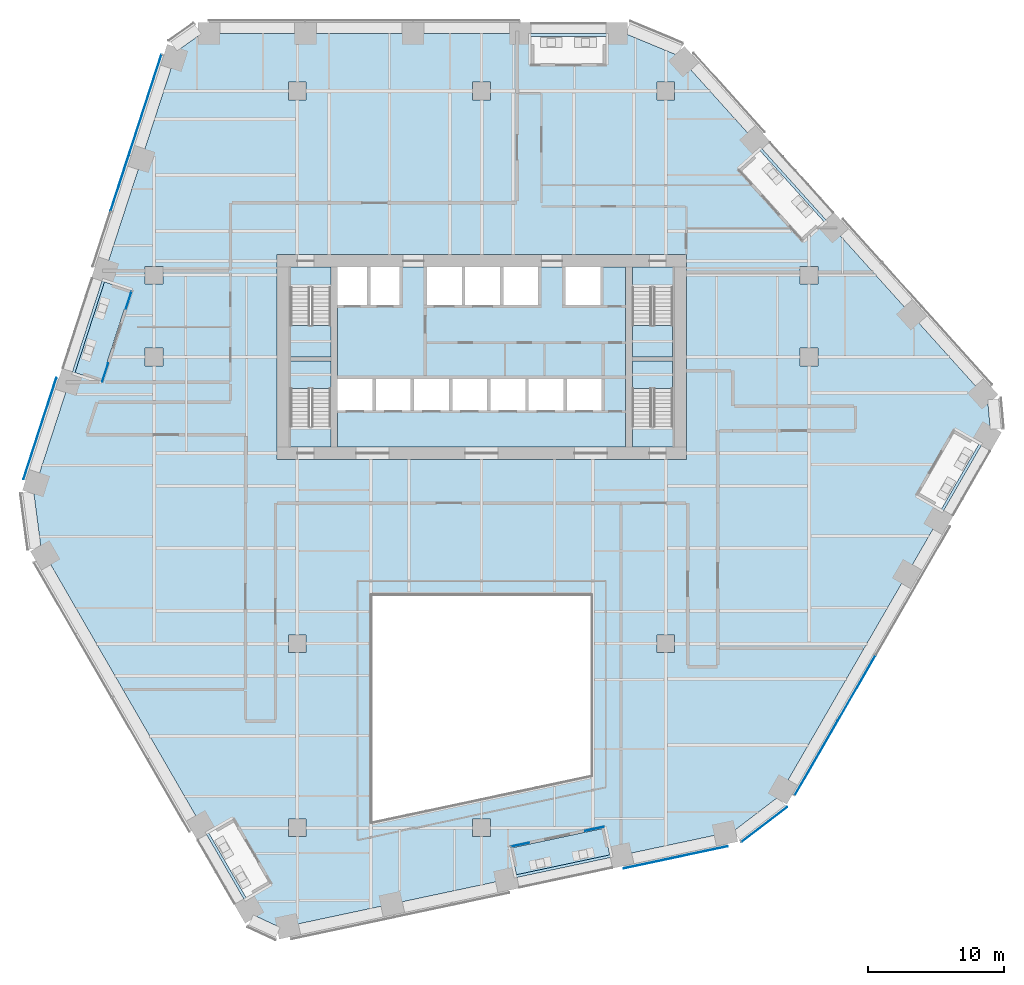
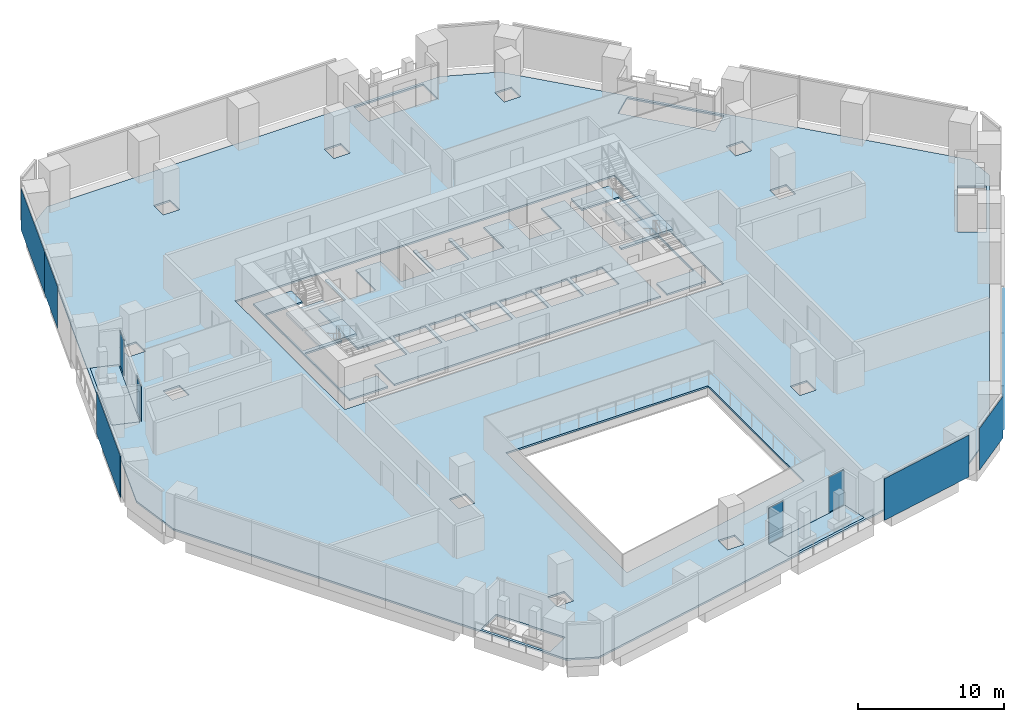
# One storey, part 17 of 28: 11 plates, 10 slabs, 10 elements without a shape of their own.
"""IFC4 building model written with IfcOpenShell, lengths in metres."""

from ifc_helpers import new_model, si_unit, direction, frame, origin, origin_2d, place, context, subcontext, project, spatial, polyline, rectangle, outline, extrude, material, layer, layer_set, type_object, element, aggregate, save


model = new_model("IFC4")

# Units and contexts
model_context = context("Model", 3, precision=1e-05, world=origin(), true_north=direction((0.0, 1.0)))
body_context = subcontext(model_context, "Body", "Model", "MODEL_VIEW")
ifc_project = project(units=[si_unit("LENGTHUNIT", "METRE"), si_unit("AREAUNIT", "SQUARE_METRE"), si_unit("VOLUMEUNIT", "CUBIC_METRE"), si_unit("PLANEANGLEUNIT", "RADIAN"), si_unit("MASSUNIT", "GRAM", prefix="KILO")], contexts=[model_context])

# Site, building, storey
site_placement = place(None, origin())
site = spatial("IfcSite", under=ifc_project, at=site_placement, CompositionType="ELEMENT")
building_placement = place(site_placement, origin())
building = spatial("IfcBuilding", under=site, at=building_placement, Name="Isthmus Gate Tower", CompositionType="ELEMENT")
storey_placement = place(building_placement, frame((0.0, 0.0, 84.300048828125)))
storey = spatial("IfcBuildingStorey", under=building, at=storey_placement, Name="L19", CompositionType="ELEMENT", Elevation=84.300048828125)

# Slabs
ifc_material_1 = material(Name="Concrete f'c 40 MPa", Category="concrete")
ifc_layer_1 = layer(ifc_material_1, 0.14990234375)
ifc_layer_set_1 = layer_set([ifc_layer_1], Name="COMPOSITE FLOOR SLAB 150")
slab_type_1 = type_object("IfcSlabType", Name="COMPOSITE FLOOR SLAB 150", PredefinedType="FLOOR", material=ifc_layer_set_1)
slab_1_placement = place(storey_placement, frame((0.0, 0.0, -0.150146484375)))
element("IfcSlab", 1, at=slab_1_placement, inside=storey, type_object=slab_type_1, Name="str-slab-L19-1", PredefinedType="FLOOR", context=body_context, shape_type="SweptSolid", body=[
    extrude(outline(polyline([(14.391357421875, 29.599365234375), (37.081787109375, 4.399169921875), (37.281494140625, 2.17333984375), (21.748779296875, -24.729736328125), (18.438232421875, -27.262939453125), (-14.73095703125, -34.313232421875), (-16.758544921875, -33.373291015625), (-32.291015625, -6.47021484375), (-32.82958984375, -2.33642578125), (-22.3505859375, 29.9140625), (-20.52294921875, 31.199951171875), (10.542236328125, 31.199951171875), (14.391357421875, 29.599365234375)]), holes=[polyline([(-17.2587890625, -32.107177734375), (-15.526611328125, -31.107177734375), (-18.248291015625, -26.392822265625), (-19.98046875, -27.392822265625), (-17.2587890625, -32.107177734375)]), polyline([(-14.14990234375, -26.35009765625), (-14.14990234375, -27.64990234375), (-12.85009765625, -27.64990234375), (-12.85009765625, -26.35009765625), (-14.14990234375, -26.35009765625)]), polyline([(-0.64990234375, -26.35009765625), (-0.64990234375, -27.64990234375), (0.64990234375, -27.64990234375), (0.64990234375, -26.35009765625), (-0.64990234375, -26.35009765625)]), polyline([(8.0, -23.143310546875), (8.0, -10.0), (-8.0, -10.0), (-8.0, -26.544189453125), (8.0, -23.143310546875)]), polyline([(-14.14990234375, -12.85009765625), (-14.14990234375, -14.14990234375), (-12.85009765625, -14.14990234375), (-12.85009765625, -12.85009765625), (-14.14990234375, -12.85009765625)]), polyline([(-23.35009765625, 8.14990234375), (-24.64990234375, 8.14990234375), (-24.64990234375, 6.85009765625), (-23.35009765625, 6.85009765625), (-23.35009765625, 8.14990234375)]), polyline([(15.0, 15.0), (-15.0, 15.0), (-15.0, 0.0), (15.0, 0.0), (15.0, 15.0)]), polyline([(-27.6337890625, 13.007080078125), (-29.793701171875, 6.35986328125), (-27.8916015625, 5.741943359375), (-25.731689453125, 12.38916015625), (-27.6337890625, 13.007080078125)]), polyline([(-23.35009765625, 12.85009765625), (-23.35009765625, 14.14990234375), (-24.64990234375, 14.14990234375), (-24.64990234375, 12.85009765625), (-23.35009765625, 12.85009765625)]), polyline([(-14.14990234375, 27.64990234375), (-14.14990234375, 26.35009765625), (-12.85009765625, 26.35009765625), (-12.85009765625, 27.64990234375), (-14.14990234375, 27.64990234375)]), polyline([(9.388916015625, -28.98193359375), (8.97314453125, -27.025634765625), (2.136474609375, -28.478759765625), (2.55224609375, -30.43505859375), (9.388916015625, -28.98193359375)]), polyline([(14.14990234375, -12.85009765625), (12.85009765625, -12.85009765625), (12.85009765625, -14.14990234375), (14.14990234375, -14.14990234375), (14.14990234375, -12.85009765625)]), polyline([(33.7001953125, -3.629638671875), (36.434814453125, 1.107177734375), (34.702880859375, 2.107177734375), (31.968017578125, -2.629638671875), (33.7001953125, -3.629638671875)]), polyline([(24.64990234375, 6.85009765625), (24.64990234375, 8.14990234375), (23.35009765625, 8.14990234375), (23.35009765625, 6.85009765625), (24.64990234375, 6.85009765625)]), polyline([(23.35009765625, 14.14990234375), (23.35009765625, 12.85009765625), (24.64990234375, 12.85009765625), (24.64990234375, 14.14990234375), (23.35009765625, 14.14990234375)]), polyline([(20.40478515625, 22.6220703125), (18.91845703125, 21.28369140625), (23.59521484375, 16.089599609375), (25.081298828125, 17.427978515625), (20.40478515625, 22.6220703125)]), polyline([(0.64990234375, 27.64990234375), (-0.64990234375, 27.64990234375), (-0.64990234375, 26.35009765625), (0.64990234375, 26.35009765625), (0.64990234375, 27.64990234375)]), polyline([(14.14990234375, 26.35009765625), (14.14990234375, 27.64990234375), (12.85009765625, 27.64990234375), (12.85009765625, 26.35009765625), (14.14990234375, 26.35009765625)]), polyline([(9.101806640625, 31.0), (3.63232421875, 31.0), (3.63232421875, 29.0), (9.101806640625, 29.0), (9.101806640625, 31.0)])]), origin(), (0.0, 0.0, 1.0), 0.150146484375),
])
ifc_material_2 = material(Name="Concrete f'c 40 MPa", Category="concrete")
ifc_layer_2 = layer(ifc_material_2, 0.14990234375)
ifc_layer_set_2 = layer_set([ifc_layer_2], Name="CORE FLOOR SLAB 150")
slab_type_2 = type_object("IfcSlabType", Name="CORE FLOOR SLAB 150", PredefinedType="FLOOR", material=ifc_layer_set_2)
slab_2_placement = place(storey_placement, frame((0.0, 0.0, -0.150146484375)))
element("IfcSlab", 2, at=slab_2_placement, inside=storey, type_object=slab_type_2, Name="L19 core floor", PredefinedType="FLOOR", context=body_context, shape_type="SweptSolid", body=[
    extrude(outline(polyline([(-11.050048828125, 0.89990234375), (-11.050048828125, 2.402099609375), (-14.0, 2.402099609375), (-14.0, 7.199951171875), (-11.050048828125, 7.199951171875), (-11.050048828125, 7.5), (-14.0, 7.5), (-14.0, 12.597900390625), (-11.050048828125, 12.597900390625), (-11.050048828125, 14.10009765625), (-14.10009765625, 14.10009765625), (-14.10009765625, 0.89990234375), (-11.050048828125, 0.89990234375)])), origin(), (0.0, 0.0, 1.0), 0.150146484375),
])
slab_3_placement = place(storey_placement, frame((0.0, 0.0, -0.150146484375)))
element("IfcSlab", 3, at=slab_3_placement, inside=storey, type_object=slab_type_2, Name="L19 core floor", PredefinedType="FLOOR", context=body_context, shape_type="SweptSolid", body=[
    extrude(outline(polyline([(10.550048828125, 14.10009765625), (8.699951171875, 14.10009765625), (8.699951171875, 11.300048828125), (6.14990234375, 11.300048828125), (6.14990234375, 14.10009765625), (4.14990234375, 14.10009765625), (4.14990234375, 11.300048828125), (1.60009765625, 11.300048828125), (1.60009765625, 14.10009765625), (1.35009765625, 14.10009765625), (1.35009765625, 11.300048828125), (-1.199951171875, 11.300048828125), (-1.199951171875, 14.10009765625), (-1.449951171875, 14.10009765625), (-1.449951171875, 11.300048828125), (-4.0, 11.300048828125), (-4.0, 14.10009765625), (-6.0, 14.10009765625), (-6.0, 11.300048828125), (-8.14990234375, 11.300048828125), (-8.14990234375, 14.10009765625), (-8.39990234375, 14.10009765625), (-8.39990234375, 11.300048828125), (-10.550048828125, 11.300048828125), (-10.550048828125, 5.89990234375), (-8.0, 5.89990234375), (-8.0, 3.60009765625), (-10.550048828125, 3.60009765625), (-10.550048828125, 0.89990234375), (10.550048828125, 0.89990234375), (10.550048828125, 14.10009765625)]), holes=[polyline([(-5.199951171875, 5.89990234375), (-5.199951171875, 3.60009765625), (-7.75, 3.60009765625), (-7.75, 5.89990234375), (-5.199951171875, 5.89990234375)]), polyline([(-2.39990234375, 5.89990234375), (-2.39990234375, 3.60009765625), (-4.949951171875, 3.60009765625), (-4.949951171875, 5.89990234375), (-2.39990234375, 5.89990234375)]), polyline([(0.39990234375, 5.89990234375), (0.39990234375, 3.60009765625), (-2.14990234375, 3.60009765625), (-2.14990234375, 5.89990234375), (0.39990234375, 5.89990234375)]), polyline([(3.199951171875, 5.89990234375), (3.199951171875, 3.60009765625), (0.64990234375, 3.60009765625), (0.64990234375, 5.89990234375), (3.199951171875, 5.89990234375)]), polyline([(6.0, 5.89990234375), (6.0, 3.60009765625), (3.449951171875, 3.60009765625), (3.449951171875, 5.89990234375), (6.0, 5.89990234375)]), polyline([(8.800048828125, 5.89990234375), (8.800048828125, 3.60009765625), (6.25, 3.60009765625), (6.25, 5.89990234375), (8.800048828125, 5.89990234375)])]), origin(), (0.0, 0.0, 1.0), 0.150146484375),
])
slab_4_placement = place(storey_placement, frame((0.0, 0.0, -0.150146484375)))
element("IfcSlab", 4, at=slab_4_placement, inside=storey, type_object=slab_type_2, Name="L19 core floor", PredefinedType="FLOOR", context=body_context, shape_type="SweptSolid", body=[
    extrude(outline(polyline([(11.050048828125, 14.10009765625), (11.050048828125, 12.597900390625), (14.0, 12.597900390625), (14.0, 7.5), (11.050048828125, 7.5), (11.050048828125, 7.199951171875), (14.0, 7.199951171875), (14.0, 2.402099609375), (11.050048828125, 2.402099609375), (11.050048828125, 0.89990234375), (14.10009765625, 0.89990234375), (14.10009765625, 14.10009765625), (11.050048828125, 14.10009765625)])), origin(), (0.0, 0.0, 1.0), 0.150146484375),
])

# Curtain wall, plates
ifc_material_3 = material(Name="Aluminium, pale champagne anodised", Category="aluminium")
ifc_layer_3 = layer(ifc_material_3, 0.199951171875)
ifc_layer_set_3 = layer_set([ifc_layer_3], Name="CW-1 UNITISED CURTAIN WALL 200 DEEP")
curtain_wall_type_1 = type_object("IfcCurtainWallType", Name="CW-1 UNITISED CURTAIN WALL 200 DEEP", PredefinedType="NOTDEFINED", material=ifc_layer_set_3)
curtain_wall_1_placement = place(storey_placement, origin())
curtain_wall_1 = element("IfcCurtainWall", 5, at=curtain_wall_1_placement, inside=storey, type_object=curtain_wall_type_1, Name="CW-1 NW L19", PredefinedType="NOTDEFINED")
ifc_material_4 = material(Name="Laminated low-iron glass, pale blue tint", Category="glass")
ifc_layer_4 = layer(ifc_material_4, 0.0400390625)
ifc_layer_set_4 = layer_set([ifc_layer_4], Name="CW-1 CLEAR GLASS LITE 40")
plate_type_1 = type_object("IfcPlateType", Name="CW-1 CLEAR GLASS LITE 40", PredefinedType="CURTAIN_PANEL", material=ifc_layer_set_4)
plate_1_placement = place(storey_placement, frame((-24.660400390625, 25.97705078125, 0.0), z_axis=(0.0, 0.0, 1.0), x_axis=(-0.309016994375, -0.951056516295, 0.0)))
plate_1 = element("IfcPlate", 6, at=plate_1_placement, type_object=plate_type_1, Name="CW-1 glass lite", PredefinedType="CURTAIN_PANEL", context=body_context, shape_type="SweptSolid", body=[
    extrude(rectangle(XDim=7.729248046875, YDim=0.0400390625, at=origin_2d()), origin(), (0.0, 0.0, 1.0), 3.5),
])
plate_2_placement = place(storey_placement, frame((-26.51806640625, 20.25927734375, 0.0), z_axis=(0.0, 0.0, 1.0), x_axis=(-0.309016994375, -0.951056516295, 0.0)))
plate_2 = element("IfcPlate", 7, at=plate_2_placement, type_object=plate_type_1, Name="CW-1 glass lite", PredefinedType="CURTAIN_PANEL", context=body_context, shape_type="SweptSolid", body=[
    extrude(rectangle(XDim=4.294677734375, YDim=0.0400390625, at=origin_2d()), origin(), (0.0, 0.0, 1.0), 3.5),
])
plate_3_placement = place(storey_placement, frame((-32.36669921875, 2.259765625, 0.0), z_axis=(0.0, 0.0, 1.0), x_axis=(-0.309016994375, -0.951056516295, 0.0)))
plate_3 = element("IfcPlate", 8, at=plate_3_placement, type_object=plate_type_1, Name="CW-1 glass lite", PredefinedType="CURTAIN_PANEL", context=body_context, shape_type="SweptSolid", body=[
    extrude(rectangle(XDim=7.789306640625, YDim=0.0400390625, at=origin_2d()), origin(), (0.0, 0.0, 1.0), 3.5),
])
aggregate(curtain_wall_1, [plate_1, plate_2, plate_3])

# Curtain wall, plate
curtain_wall_2_placement = place(storey_placement, origin())
curtain_wall_2 = element("IfcCurtainWall", 9, at=curtain_wall_2_placement, inside=storey, type_object=curtain_wall_type_1, Name="CW-1 S L19", PredefinedType="NOTDEFINED")
plate_4_placement = place(storey_placement, frame((14.226318359375, -29.16015625, 0.0), z_axis=(0.0, 0.0, 1.0), x_axis=(0.978147600734, 0.207911690818, 0.0)))
plate_4 = element("IfcPlate", 10, at=plate_4_placement, type_object=plate_type_1, Name="CW-1 glass lite", PredefinedType="CURTAIN_PANEL", context=body_context, shape_type="SweptSolid", body=[
    extrude(rectangle(XDim=7.789306640625, YDim=0.0400390625, at=origin_2d()), origin(), (0.0, 0.0, 1.0), 3.5),
])
aggregate(curtain_wall_2, [plate_4])

curtain_wall_3_placement = place(storey_placement, origin())
curtain_wall_3 = element("IfcCurtainWall", 11, at=curtain_wall_3_placement, inside=storey, type_object=curtain_wall_type_1, Name="CW-1 S-SE L19", PredefinedType="NOTDEFINED")
plate_5_placement = place(storey_placement, frame((20.711669921875, -26.75732421875, 0.0), z_axis=(0.0, 0.0, 1.0), x_axis=(0.794188594387, 0.607671355706, 0.0)))
plate_5 = element("IfcPlate", 12, at=plate_5_placement, type_object=plate_type_1, Name="CW-1 glass lite", PredefinedType="CURTAIN_PANEL", context=body_context, shape_type="SweptSolid", body=[
    extrude(rectangle(XDim=4.181396484375, YDim=0.0400390625, at=origin_2d()), origin(), (0.0, 0.0, 1.0), 3.5),
])
aggregate(curtain_wall_3, [plate_5])

# Curtain wall, plates
curtain_wall_4_placement = place(storey_placement, origin())
curtain_wall_4 = element("IfcCurtainWall", 13, at=curtain_wall_4_placement, inside=storey, type_object=curtain_wall_type_1, Name="CW-1 SE L19", PredefinedType="NOTDEFINED")
plate_6_placement = place(storey_placement, frame((24.517333984375, -21.89453125, 0.0), z_axis=(0.0, 0.0, 1.0), x_axis=(0.5, 0.866025403784, 0.0)))
plate_6 = element("IfcPlate", 14, at=plate_6_placement, type_object=plate_type_1, Name="CW-1 glass lite", PredefinedType="CURTAIN_PANEL", context=body_context, shape_type="SweptSolid", body=[
    extrude(rectangle(XDim=6.278564453125, YDim=0.0400390625, at=origin_2d()), origin(), (0.0, 0.0, 1.0), 3.5),
])
plate_7_placement = place(storey_placement, frame((27.4716796875, -16.777587890625, 0.0), z_axis=(0.0, 0.0, 1.0), x_axis=(0.5, 0.866025403784, 0.0)))
plate_7 = element("IfcPlate", 15, at=plate_7_placement, type_object=plate_type_1, Name="CW-1 glass lite", PredefinedType="CURTAIN_PANEL", context=body_context, shape_type="SweptSolid", body=[
    extrude(rectangle(XDim=5.53857421875, YDim=0.0400390625, at=origin_2d()), origin(), (0.0, 0.0, 1.0), 3.5),
])
aggregate(curtain_wall_4, [plate_6, plate_7])

ifc_material_5 = material(Name="Aluminium, pale champagne anodised", Category="aluminium")
ifc_layer_5 = layer(ifc_material_5, 0.14990234375)
ifc_layer_set_5 = layer_set([ifc_layer_5], Name="CW-6 LOGGIA BACK WALL GLAZING 150 DEEP")
curtain_wall_type_2 = type_object("IfcCurtainWallType", Name="CW-6 LOGGIA BACK WALL GLAZING 150 DEEP", PredefinedType="NOTDEFINED", material=ifc_layer_set_5)
curtain_wall_5_placement = place(storey_placement, origin())
curtain_wall_5 = element("IfcCurtainWall", 16, at=curtain_wall_5_placement, inside=storey, type_object=curtain_wall_type_2, Name="CW-6 NW L19", PredefinedType="NOTDEFINED")
ifc_material_6 = material(Name="Laminated low-iron glass, clear", Category="glass")
ifc_layer_6 = layer(ifc_material_6, 0.031982421875)
ifc_layer_set_6 = layer_set([ifc_layer_6], Name="CW-6 CLEAR GLASS LITE 32")
plate_type_2 = type_object("IfcPlateType", Name="CW-6 CLEAR GLASS LITE 32", PredefinedType="CURTAIN_PANEL", material=ifc_layer_set_6)
plate_8_placement = place(storey_placement, frame((-25.861328125, 11.66650390625, 0.0), z_axis=(0.0, 0.0, 1.0), x_axis=(-0.309016994375, -0.951056516295, 0.0)))
plate_8 = element("IfcPlate", 17, at=plate_8_placement, type_object=plate_type_2, Name="CW-6 glass lite", PredefinedType="CURTAIN_PANEL", context=body_context, shape_type="SweptSolid", body=[
    extrude(rectangle(XDim=1.334716796875, YDim=0.031982421875, at=origin_2d()), origin(), (0.0, 0.0, 1.0), 2.929931640625),
])
plate_9_placement = place(storey_placement, frame((-27.580810546875, 6.374267578125, 0.0), z_axis=(0.0, 0.0, 1.0), x_axis=(-0.309016994375, -0.951056516295, 0.0)))
plate_9 = element("IfcPlate", 18, at=plate_9_placement, type_object=plate_type_2, Name="CW-6 glass lite", PredefinedType="CURTAIN_PANEL", context=body_context, shape_type="SweptSolid", body=[
    extrude(rectangle(XDim=1.394775390625, YDim=0.031982421875, at=origin_2d()), origin(), (0.0, 0.0, 1.0), 2.929931640625),
])
aggregate(curtain_wall_5, [plate_8, plate_9])

curtain_wall_6_placement = place(storey_placement, origin())
curtain_wall_6 = element("IfcCurtainWall", 19, at=curtain_wall_6_placement, inside=storey, type_object=curtain_wall_type_2, Name="CW-6 S L19", PredefinedType="NOTDEFINED")
plate_10_placement = place(storey_placement, frame((2.8271484375, -28.229736328125, 0.0), z_axis=(0.0, 0.0, 1.0), x_axis=(0.978147600734, 0.207911690818, 0.0)))
plate_10 = element("IfcPlate", 20, at=plate_10_placement, type_object=plate_type_2, Name="CW-6 glass lite", PredefinedType="CURTAIN_PANEL", context=body_context, shape_type="SweptSolid", body=[
    extrude(rectangle(XDim=1.334716796875, YDim=0.031982421875, at=origin_2d()), origin(), (0.0, 0.0, 1.0), 2.929931640625),
])
plate_11_placement = place(storey_placement, frame((8.270263671875, -27.07275390625, 0.0), z_axis=(0.0, 0.0, 1.0), x_axis=(0.978147600734, 0.207911690818, 0.0)))
plate_11 = element("IfcPlate", 21, at=plate_11_placement, type_object=plate_type_2, Name="CW-6 glass lite", PredefinedType="CURTAIN_PANEL", context=body_context, shape_type="SweptSolid", body=[
    extrude(rectangle(XDim=1.394775390625, YDim=0.031982421875, at=origin_2d()), origin(), (0.0, 0.0, 1.0), 2.929931640625),
])
aggregate(curtain_wall_6, [plate_10, plate_11])

# Slabs
ifc_material_7 = material(Name="Concrete f'c 50 MPa", Category="concrete")
ifc_layer_7 = layer(ifc_material_7, 0.14990234375)
ifc_layer_set_7 = layer_set([ifc_layer_7], Name="LOGGIA FLOOR SLAB 150")
slab_type_3 = type_object("IfcSlabType", Name="LOGGIA FLOOR SLAB 150", PredefinedType="FLOOR", material=ifc_layer_set_7)
slab_5_placement = place(storey_placement, frame((0.0, 0.0, -0.150146484375)))
element("IfcSlab", 22, at=slab_5_placement, inside=storey, type_object=slab_type_3, Name="LOGGIA FLOOR", PredefinedType="FLOOR", context=body_context, shape_type="SweptSolid", body=[
    extrude(outline(polyline([(-27.6337890625, 13.007080078125), (-29.793701171875, 6.35986328125), (-27.8916015625, 5.741943359375), (-25.731689453125, 12.38916015625), (-27.6337890625, 13.007080078125)])), origin(), (0.0, 0.0, 1.0), 0.150146484375),
])
slab_6_placement = place(storey_placement, frame((0.0, 0.0, -0.150146484375)))
element("IfcSlab", 23, at=slab_6_placement, inside=storey, type_object=slab_type_3, Name="LOGGIA FLOOR", PredefinedType="FLOOR", context=body_context, shape_type="SweptSolid", body=[
    extrude(outline(polyline([(2.55224609375, -30.43505859375), (9.388916015625, -28.98193359375), (8.97314453125, -27.025634765625), (2.136474609375, -28.478759765625), (2.55224609375, -30.43505859375)])), origin(), (0.0, 0.0, 1.0), 0.150146484375),
])

# Stair, slab
ifc_material_8 = material(Name="Concrete f'c 40 MPa", Category="concrete")
stair_type = type_object("IfcStairType", Name="CORE STAIR 22 RISERS", PredefinedType="HALF_TURN_STAIR", material=ifc_material_8)
stair_1_placement = place(storey_placement, origin())
stair_1 = element("IfcStair", 24, at=stair_1_placement, inside=storey, type_object=stair_type, Name="L19 Exit Stair 1", PredefinedType="HALF_TURN_STAIR")
ifc_material_9 = material(Name="Concrete f'c 40 MPa", Category="concrete")
ifc_layer_8 = layer(ifc_material_9, 0.199951171875)
ifc_layer_set_8 = layer_set([ifc_layer_8])
slab_type_4 = type_object("IfcSlabType", Name="STAIR LANDING RC 200", PredefinedType="LANDING", material=ifc_layer_set_8)
slab_7_placement = place(storey_placement, frame((0.0, 0.0, 1.625)))
slab_7 = element("IfcSlab", 25, at=slab_7_placement, type_object=slab_type_4, Name="ST1 landing 1", PredefinedType="LANDING", context=body_context, shape_type="SweptSolid", body=[
    extrude(outline(polyline([(-14.0, 9.800048828125), (-14.0, 7.5), (-11.050048828125, 7.5), (-11.050048828125, 9.800048828125), (-14.0, 9.800048828125)])), origin(), (0.0, 0.0, 1.0), 0.199951171875),
])
aggregate(stair_1, [slab_7])

stair_2_placement = place(storey_placement, origin())
stair_2 = element("IfcStair", 26, at=stair_2_placement, inside=storey, type_object=stair_type, Name="L19 Exit Stair 2", PredefinedType="HALF_TURN_STAIR")
slab_8_placement = place(storey_placement, frame((0.0, 0.0, 1.625)))
slab_8 = element("IfcSlab", 27, at=slab_8_placement, type_object=slab_type_4, Name="ST2 landing 1", PredefinedType="LANDING", context=body_context, shape_type="SweptSolid", body=[
    extrude(outline(polyline([(11.050048828125, 9.800048828125), (11.050048828125, 7.5), (14.0, 7.5), (14.0, 9.800048828125), (11.050048828125, 9.800048828125)])), origin(), (0.0, 0.0, 1.0), 0.199951171875),
])
aggregate(stair_2, [slab_8])

stair_3_placement = place(storey_placement, origin())
stair_3 = element("IfcStair", 28, at=stair_3_placement, inside=storey, type_object=stair_type, Name="L19 Exit Stair 7", PredefinedType="HALF_TURN_STAIR")
slab_9_placement = place(storey_placement, frame((0.0, 0.0, 1.625)))
slab_9 = element("IfcSlab", 29, at=slab_9_placement, type_object=slab_type_4, Name="ST7 landing 1", PredefinedType="LANDING", context=body_context, shape_type="SweptSolid", body=[
    extrude(outline(polyline([(-11.050048828125, 5.199951171875), (-11.050048828125, 7.199951171875), (-14.0, 7.199951171875), (-14.0, 5.199951171875), (-11.050048828125, 5.199951171875)])), origin(), (0.0, 0.0, 1.0), 0.199951171875),
])
aggregate(stair_3, [slab_9])

stair_4_placement = place(storey_placement, origin())
stair_4 = element("IfcStair", 30, at=stair_4_placement, inside=storey, type_object=stair_type, Name="L19 Exit Stair 8", PredefinedType="HALF_TURN_STAIR")
slab_10_placement = place(storey_placement, frame((0.0, 0.0, 1.625)))
slab_10 = element("IfcSlab", 31, at=slab_10_placement, type_object=slab_type_4, Name="ST8 landing 1", PredefinedType="LANDING", context=body_context, shape_type="SweptSolid", body=[
    extrude(outline(polyline([(14.0, 5.199951171875), (14.0, 7.199951171875), (11.050048828125, 7.199951171875), (11.050048828125, 5.199951171875), (14.0, 5.199951171875)])), origin(), (0.0, 0.0, 1.0), 0.199951171875),
])
aggregate(stair_4, [slab_10])

save(model, "model.ifc")
